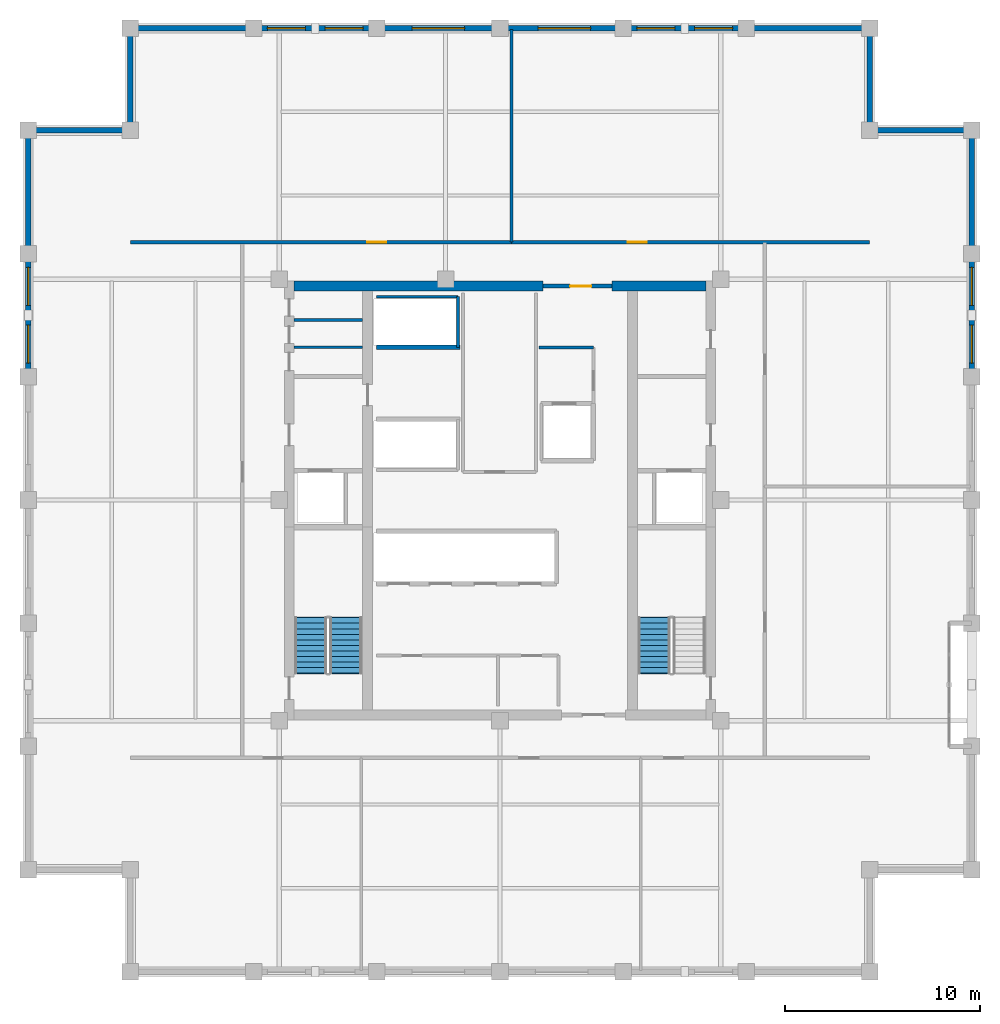
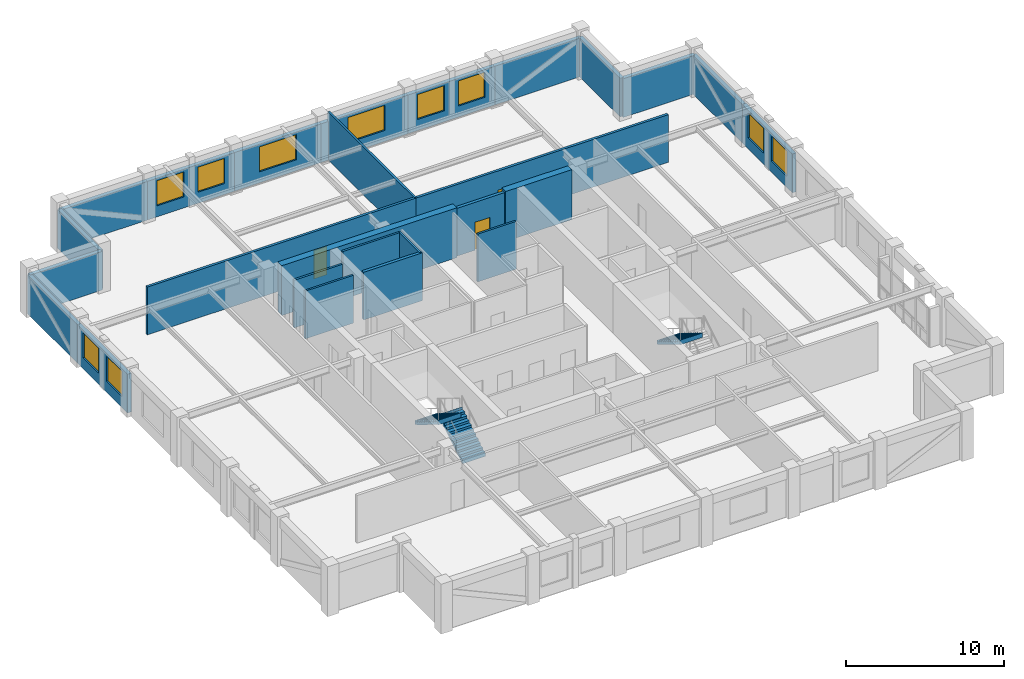
# One storey, part 6 of 8: 26 walls, 10 windows, 3 doors, 3 stair flights, 13 openings, 2 elements without a shape of their own.
"""IFC4 building model written with IfcOpenShell, lengths in metres."""

from ifc_helpers import new_model, si_unit, direction, frame, frame_2d, origin, place, context, subcontext, project, spatial, polyline, rectangle, outline, extrude, material, layer, layer_set, type_object, element, fill, aggregate, save


model = new_model("IFC4")

# Units and contexts
model_context = context("Model", 3, precision=1e-05, world=origin(), true_north=direction((0.0, 1.0)))
body_context = subcontext(model_context, "Body", "Model", "MODEL_VIEW")
ifc_project = project(units=[si_unit("LENGTHUNIT", "METRE"), si_unit("AREAUNIT", "SQUARE_METRE"), si_unit("VOLUMEUNIT", "CUBIC_METRE"), si_unit("PLANEANGLEUNIT", "RADIAN"), si_unit("MASSUNIT", "GRAM", prefix="KILO")], contexts=[model_context])

# Site, building, storey
site_placement = place(None, origin())
site = spatial("IfcSite", under=ifc_project, at=site_placement, CompositionType="ELEMENT")
building_placement = place(site_placement, origin())
building = spatial("IfcBuilding", under=site, at=building_placement, Name="Nhamokura Convention Tower", CompositionType="ELEMENT")
storey_placement = place(building_placement, frame((0.0, 0.0, 240.800048828125)))
storey = spatial("IfcBuildingStorey", under=building, at=storey_placement, Name="L59", CompositionType="ELEMENT", Elevation=240.800048828125)

# Walls
ifc_material_1 = material(Name="Moisture-resistant tile-backer partition", Category="masonry")
ifc_layer_1 = layer(ifc_material_1, 0.139892578125)
ifc_layer_set_1 = layer_set([ifc_layer_1], Name="BathroomWetWall_140")
wall_type_1 = type_object("IfcWallType", Name="BathroomWetWall_140", PredefinedType="STANDARD", material=ifc_layer_set_1)
wall_1_placement = place(storey_placement, frame((21.409912109375, 39.85009765625, 0.0), z_axis=(0.0, 0.0, 1.0), x_axis=(1.0, 0.0, 0.0)))
element("IfcWall", 1, at=wall_1_placement, inside=storey, type_object=wall_type_1, Name="L59 Wall INT-L59-CWNW1", PredefinedType="STANDARD", context=body_context, shape_type="SweptSolid", body=[
    extrude(rectangle(XDim=3.530029296875, YDim=0.139892578125, at=frame_2d((1.76513671875, 0.0))), origin(), (0.0, 0.0, 1.0), 3.68505859375),
])
ifc_material_2 = material(Name="Bronze-pigmented precast concrete C45/55", Category="concrete")
ifc_layer_2 = layer(ifc_material_2, 0.280029296875)
ifc_layer_set_2 = layer_set([ifc_layer_2], Name="BronzePrecastSpandrel_280")
wall_type_2 = type_object("IfcWallType", Name="BronzePrecastSpandrel_280", PredefinedType="USERDEFINED", material=ifc_layer_set_2)
wall_2_placement = place(storey_placement, frame((13.0, 56.25, 0.0), z_axis=(0.0, 0.0, 1.0), x_axis=(1.0, 0.0, 0.0)))
element("IfcWall", 2, at=wall_2_placement, inside=storey, type_object=wall_type_2, Name="L59 Braced-Bay Precast Wall NORTH 0", ObjectType="SPANDREL_WALL", PredefinedType="USERDEFINED", context=body_context, shape_type="SweptSolid", body=[
    extrude(rectangle(XDim=6.333251953125, YDim=0.280029296875, at=frame_2d((3.16650390625, 0.0))), origin(), (0.0, 0.0, 1.0), 2.98486328125),
])

# Wall, openings, windows
wall_3_placement = place(storey_placement, frame((19.333251953125, 56.25, 0.0), z_axis=(0.0, 0.0, 1.0), x_axis=(1.0, 0.0, 0.0)))
wall_3 = element("IfcWall", 3, at=wall_3_placement, inside=storey, type_object=wall_type_2, Name="L59 Masonry-Frame Wall NORTH 1", ObjectType="SPANDREL_WALL", PredefinedType="USERDEFINED", context=body_context, shape_type="SweptSolid", body=[
    extrude(rectangle(XDim=6.33349609375, YDim=0.280029296875, at=frame_2d((3.166748046875, 0.0))), origin(), (0.0, 0.0, 1.0), 2.98486328125),
])
opening_1_placement = place(wall_3_placement, frame((0.708251953125, 0.0, 0.85009765625)))
opening_1 = element("IfcOpeningElement", 4, at=opening_1_placement, cuts=wall_3, Name="Opening W-08", PredefinedType="OPENING", context=body_context, shape_type="SweptSolid", body=[
    extrude(rectangle(XDim=1.949951171875, YDim=1.93505859375, at=frame_2d((0.97509765625, 0.967529296875))), frame((0.0, 0.14990234375, 0.0), z_axis=(0.0, -1.0, 0.0), x_axis=(1.0, 0.0, 0.0)), (0.0, 0.0, 1.0), 0.300048828125),
])
opening_2_placement = place(wall_3_placement, frame((3.675048828125, 0.0, 0.85009765625)))
opening_2 = element("IfcOpeningElement", 5, at=opening_2_placement, cuts=wall_3, Name="Opening W-08", PredefinedType="OPENING", context=body_context, shape_type="SweptSolid", body=[
    extrude(rectangle(XDim=1.949951171875, YDim=1.93505859375, at=frame_2d((0.97509765625, 0.967529296875))), frame((0.0, 0.14990234375, 0.0), z_axis=(0.0, -1.0, 0.0), x_axis=(1.0, 0.0, 0.0)), (0.0, 0.0, 1.0), 0.300048828125),
])
ifc_material_3 = material(Name="Solar-control bronze low-E double glass", Category="glass")
window_type_1 = type_object("IfcWindowType", Name="OfficeModuleWindow_Z3_1950", PartitioningType="SINGLE_PANEL", PredefinedType="WINDOW", material=ifc_material_3)
window_1_placement = place(opening_1_placement, origin())
window_1 = element("IfcWindow", 6, at=window_1_placement, inside=storey, type_object=window_type_1, Name="L59 Facade Window NORTH 1-1", OverallHeight=1.93505859375, OverallWidth=1.949951171875, PartitioningType="SINGLE_PANEL", PredefinedType="WINDOW", context=body_context, shape_type="SweptSolid", body=[
    extrude(rectangle(XDim=1.949951171875, YDim=1.93505859375, at=frame_2d((0.97509765625, 0.967529296875))), frame((0.0, 0.030029296875, 0.0), z_axis=(0.0, -1.0, 0.0), x_axis=(1.0, 0.0, 0.0)), (0.0, 0.0, 1.0), 0.06005859375),
])
fill(opening_1, window_1)
window_2_placement = place(opening_2_placement, origin())
window_2 = element("IfcWindow", 7, at=window_2_placement, inside=storey, type_object=window_type_1, Name="L59 Facade Window NORTH 1-2", OverallHeight=1.93505859375, OverallWidth=1.949951171875, PartitioningType="SINGLE_PANEL", PredefinedType="WINDOW", context=body_context, shape_type="SweptSolid", body=[
    extrude(rectangle(XDim=1.949951171875, YDim=1.93505859375, at=frame_2d((0.97509765625, 0.967529296875))), frame((0.0, 0.030029296875, 0.0), z_axis=(0.0, -1.0, 0.0), x_axis=(1.0, 0.0, 0.0)), (0.0, 0.0, 1.0), 0.06005859375),
])
fill(opening_2, window_2)

# Wall, opening, window
wall_4_placement = place(storey_placement, frame((25.666748046875, 56.25, 0.0), z_axis=(0.0, 0.0, 1.0), x_axis=(1.0, 0.0, 0.0)))
wall_4 = element("IfcWall", 8, at=wall_4_placement, inside=storey, type_object=wall_type_2, Name="L59 Masonry-Frame Wall NORTH 2", ObjectType="SPANDREL_WALL", PredefinedType="USERDEFINED", context=body_context, shape_type="SweptSolid", body=[
    extrude(rectangle(XDim=6.333251953125, YDim=0.280029296875, at=frame_2d((3.16650390625, 0.0))), origin(), (0.0, 0.0, 1.0), 2.98486328125),
])
opening_3_placement = place(wall_4_placement, frame((1.816650390625, 0.0, 0.85009765625)))
opening_3 = element("IfcOpeningElement", 9, at=opening_3_placement, cuts=wall_4, Name="Opening W-07", PredefinedType="OPENING", context=body_context, shape_type="SweptSolid", body=[
    extrude(rectangle(XDim=2.699951171875, YDim=1.93505859375, at=frame_2d((1.35009765625, 0.967529296875))), frame((0.0, 0.14990234375, 0.0), z_axis=(0.0, -1.0, 0.0), x_axis=(1.0, 0.0, 0.0)), (0.0, 0.0, 1.0), 0.300048828125),
])
ifc_material_4 = material(Name="Solar-control bronze low-E double glass", Category="glass")
window_type_2 = type_object("IfcWindowType", Name="OfficeModuleWindow_Z3_2700", PartitioningType="DOUBLE_PANEL_VERTICAL", PredefinedType="WINDOW", material=ifc_material_4)
window_3_placement = place(opening_3_placement, origin())
window_3 = element("IfcWindow", 10, at=window_3_placement, inside=storey, type_object=window_type_2, Name="L59 Facade Window NORTH 2", OverallHeight=1.93505859375, OverallWidth=2.699951171875, PartitioningType="SINGLE_PANEL", PredefinedType="WINDOW", context=body_context, shape_type="SweptSolid", body=[
    extrude(rectangle(XDim=2.699951171875, YDim=1.93505859375, at=frame_2d((1.35009765625, 0.967529296875))), frame((0.0, 0.030029296875, 0.0), z_axis=(0.0, -1.0, 0.0), x_axis=(1.0, 0.0, 0.0)), (0.0, 0.0, 1.0), 0.06005859375),
])
fill(opening_3, window_3)

wall_5_placement = place(storey_placement, frame((32.0, 56.25, 0.0), z_axis=(0.0, 0.0, 1.0), x_axis=(1.0, 0.0, 0.0)))
wall_5 = element("IfcWall", 11, at=wall_5_placement, inside=storey, type_object=wall_type_2, Name="L59 Masonry-Frame Wall NORTH 3", ObjectType="SPANDREL_WALL", PredefinedType="USERDEFINED", context=body_context, shape_type="SweptSolid", body=[
    extrude(rectangle(XDim=6.333251953125, YDim=0.280029296875, at=frame_2d((3.16650390625, 0.0))), origin(), (0.0, 0.0, 1.0), 2.98486328125),
])
opening_4_placement = place(wall_5_placement, frame((1.9541015625, 0.0, 0.85009765625)))
opening_4 = element("IfcOpeningElement", 12, at=opening_4_placement, cuts=wall_5, Name="Opening W-07", PredefinedType="OPENING", context=body_context, shape_type="SweptSolid", body=[
    extrude(rectangle(XDim=2.699951171875, YDim=1.93505859375, at=frame_2d((1.35009765625, 0.967529296875))), frame((0.0, 0.14990234375, 0.0), z_axis=(0.0, -1.0, 0.0), x_axis=(1.0, 0.0, 0.0)), (0.0, 0.0, 1.0), 0.300048828125),
])
window_4_placement = place(opening_4_placement, origin())
window_4 = element("IfcWindow", 13, at=window_4_placement, inside=storey, type_object=window_type_2, Name="L59 Facade Window NORTH 3", OverallHeight=1.93505859375, OverallWidth=2.699951171875, PartitioningType="SINGLE_PANEL", PredefinedType="WINDOW", context=body_context, shape_type="SweptSolid", body=[
    extrude(rectangle(XDim=2.699951171875, YDim=1.93505859375, at=frame_2d((1.35009765625, 0.967529296875))), frame((0.0, 0.030029296875, 0.0), z_axis=(0.0, -1.0, 0.0), x_axis=(1.0, 0.0, 0.0)), (0.0, 0.0, 1.0), 0.06005859375),
])
fill(opening_4, window_4)

# Wall, openings, windows
wall_6_placement = place(storey_placement, frame((38.333251953125, 56.25, 0.0), z_axis=(0.0, 0.0, 1.0), x_axis=(1.0, 0.0, 0.0)))
wall_6 = element("IfcWall", 14, at=wall_6_placement, inside=storey, type_object=wall_type_2, Name="L59 Masonry-Frame Wall NORTH 4", ObjectType="SPANDREL_WALL", PredefinedType="USERDEFINED", context=body_context, shape_type="SweptSolid", body=[
    extrude(rectangle(XDim=6.33349609375, YDim=0.280029296875, at=frame_2d((3.166748046875, 0.0))), origin(), (0.0, 0.0, 1.0), 2.98486328125),
])
opening_5_placement = place(wall_6_placement, frame((0.708251953125, 0.0, 0.85009765625)))
opening_5 = element("IfcOpeningElement", 15, at=opening_5_placement, cuts=wall_6, Name="Opening W-08", PredefinedType="OPENING", context=body_context, shape_type="SweptSolid", body=[
    extrude(rectangle(XDim=1.949951171875, YDim=1.93505859375, at=frame_2d((0.97509765625, 0.967529296875))), frame((0.0, 0.14990234375, 0.0), z_axis=(0.0, -1.0, 0.0), x_axis=(1.0, 0.0, 0.0)), (0.0, 0.0, 1.0), 0.300048828125),
])
opening_6_placement = place(wall_6_placement, frame((3.675048828125, 0.0, 0.85009765625)))
opening_6 = element("IfcOpeningElement", 16, at=opening_6_placement, cuts=wall_6, Name="Opening W-08", PredefinedType="OPENING", context=body_context, shape_type="SweptSolid", body=[
    extrude(rectangle(XDim=1.949951171875, YDim=1.93505859375, at=frame_2d((0.97509765625, 0.967529296875))), frame((0.0, 0.14990234375, 0.0), z_axis=(0.0, -1.0, 0.0), x_axis=(1.0, 0.0, 0.0)), (0.0, 0.0, 1.0), 0.300048828125),
])
window_5_placement = place(opening_5_placement, origin())
window_5 = element("IfcWindow", 17, at=window_5_placement, inside=storey, type_object=window_type_1, Name="L59 Facade Window NORTH 4-1", OverallHeight=1.93505859375, OverallWidth=1.949951171875, PartitioningType="SINGLE_PANEL", PredefinedType="WINDOW", context=body_context, shape_type="SweptSolid", body=[
    extrude(rectangle(XDim=1.949951171875, YDim=1.93505859375, at=frame_2d((0.97509765625, 0.967529296875))), frame((0.0, 0.030029296875, 0.0), z_axis=(0.0, -1.0, 0.0), x_axis=(1.0, 0.0, 0.0)), (0.0, 0.0, 1.0), 0.06005859375),
])
fill(opening_5, window_5)
window_6_placement = place(opening_6_placement, origin())
window_6 = element("IfcWindow", 18, at=window_6_placement, inside=storey, type_object=window_type_1, Name="L59 Facade Window NORTH 4-2", OverallHeight=1.93505859375, OverallWidth=1.949951171875, PartitioningType="SINGLE_PANEL", PredefinedType="WINDOW", context=body_context, shape_type="SweptSolid", body=[
    extrude(rectangle(XDim=1.949951171875, YDim=1.93505859375, at=frame_2d((0.97509765625, 0.967529296875))), frame((0.0, 0.030029296875, 0.0), z_axis=(0.0, -1.0, 0.0), x_axis=(1.0, 0.0, 0.0)), (0.0, 0.0, 1.0), 0.06005859375),
])
fill(opening_6, window_6)

# Wall
wall_7_placement = place(storey_placement, frame((44.666748046875, 56.25, 0.0), z_axis=(0.0, 0.0, 1.0), x_axis=(1.0, 0.0, 0.0)))
element("IfcWall", 19, at=wall_7_placement, inside=storey, type_object=wall_type_2, Name="L59 Braced-Bay Precast Wall NORTH 5", ObjectType="SPANDREL_WALL", PredefinedType="USERDEFINED", context=body_context, shape_type="SweptSolid", body=[
    extrude(rectangle(XDim=6.333251953125, YDim=0.280029296875, at=frame_2d((3.16650390625, 0.0))), origin(), (0.0, 0.0, 1.0), 2.98486328125),
])

# Wall, openings, windows
wall_8_placement = place(storey_placement, frame((7.75, 38.333251953125, 0.0), z_axis=(0.0, 0.0, 1.0), x_axis=(0.0, 1.0, 0.0)))
wall_8 = element("IfcWall", 20, at=wall_8_placement, inside=storey, type_object=wall_type_2, Name="L59 Masonry-Frame Wall WEST 4", ObjectType="SPANDREL_WALL", PredefinedType="USERDEFINED", context=body_context, shape_type="SweptSolid", body=[
    extrude(rectangle(XDim=6.33349609375, YDim=0.280029296875, at=frame_2d((3.166748046875, 0.0))), origin(), (0.0, 0.0, 1.0), 2.98486328125),
])
opening_7_placement = place(wall_8_placement, frame((0.708251953125, 0.0, 0.85009765625)))
opening_7 = element("IfcOpeningElement", 21, at=opening_7_placement, cuts=wall_8, Name="Opening W-08", PredefinedType="OPENING", context=body_context, shape_type="SweptSolid", body=[
    extrude(rectangle(XDim=1.949951171875, YDim=1.93505859375, at=frame_2d((0.97509765625, 0.967529296875))), frame((0.0, 0.14990234375, 0.0), z_axis=(0.0, -1.0, 0.0), x_axis=(1.0, 0.0, 0.0)), (0.0, 0.0, 1.0), 0.300048828125),
])
opening_8_placement = place(wall_8_placement, frame((3.675048828125, 0.0, 0.85009765625)))
opening_8 = element("IfcOpeningElement", 22, at=opening_8_placement, cuts=wall_8, Name="Opening W-08", PredefinedType="OPENING", context=body_context, shape_type="SweptSolid", body=[
    extrude(rectangle(XDim=1.949951171875, YDim=1.93505859375, at=frame_2d((0.97509765625, 0.967529296875))), frame((0.0, 0.14990234375, 0.0), z_axis=(0.0, -1.0, 0.0), x_axis=(1.0, 0.0, 0.0)), (0.0, 0.0, 1.0), 0.300048828125),
])
window_7_placement = place(opening_7_placement, origin())
window_7 = element("IfcWindow", 23, at=window_7_placement, inside=storey, type_object=window_type_1, Name="L59 Facade Window WEST 4-1", OverallHeight=1.93505859375, OverallWidth=1.949951171875, PartitioningType="SINGLE_PANEL", PredefinedType="WINDOW", context=body_context, shape_type="SweptSolid", body=[
    extrude(rectangle(XDim=1.949951171875, YDim=1.93505859375, at=frame_2d((0.97509765625, 0.967529296875))), frame((0.0, 0.030029296875, 0.0), z_axis=(0.0, -1.0, 0.0), x_axis=(1.0, 0.0, 0.0)), (0.0, 0.0, 1.0), 0.06005859375),
])
fill(opening_7, window_7)
window_8_placement = place(opening_8_placement, origin())
window_8 = element("IfcWindow", 24, at=window_8_placement, inside=storey, type_object=window_type_1, Name="L59 Facade Window WEST 4-2", OverallHeight=1.93505859375, OverallWidth=1.949951171875, PartitioningType="SINGLE_PANEL", PredefinedType="WINDOW", context=body_context, shape_type="SweptSolid", body=[
    extrude(rectangle(XDim=1.949951171875, YDim=1.93505859375, at=frame_2d((0.97509765625, 0.967529296875))), frame((0.0, 0.030029296875, 0.0), z_axis=(0.0, -1.0, 0.0), x_axis=(1.0, 0.0, 0.0)), (0.0, 0.0, 1.0), 0.06005859375),
])
fill(opening_8, window_8)

# Wall
wall_9_placement = place(storey_placement, frame((7.75, 44.666748046875, 0.0), z_axis=(0.0, 0.0, 1.0), x_axis=(0.0, 1.0, 0.0)))
element("IfcWall", 25, at=wall_9_placement, inside=storey, type_object=wall_type_2, Name="L59 Braced-Bay Precast Wall WEST 5", ObjectType="SPANDREL_WALL", PredefinedType="USERDEFINED", context=body_context, shape_type="SweptSolid", body=[
    extrude(rectangle(XDim=6.333251953125, YDim=0.280029296875, at=frame_2d((3.16650390625, 0.0))), origin(), (0.0, 0.0, 1.0), 2.98486328125),
])

# Wall, openings, windows
wall_10_placement = place(storey_placement, frame((56.25, 44.666748046875, 0.0), z_axis=(0.0, 0.0, 1.0), x_axis=(0.0, -1.0, 0.0)))
wall_10 = element("IfcWall", 26, at=wall_10_placement, inside=storey, type_object=wall_type_2, Name="L59 Masonry-Frame Wall EAST 4", ObjectType="SPANDREL_WALL", PredefinedType="USERDEFINED", context=body_context, shape_type="SweptSolid", body=[
    extrude(rectangle(XDim=6.33349609375, YDim=0.280029296875, at=frame_2d((3.166748046875, 0.0))), origin(), (0.0, 0.0, 1.0), 2.98486328125),
])
opening_9_placement = place(wall_10_placement, frame((0.708251953125, 0.0, 0.85009765625)))
opening_9 = element("IfcOpeningElement", 27, at=opening_9_placement, cuts=wall_10, Name="Opening W-08", PredefinedType="OPENING", context=body_context, shape_type="SweptSolid", body=[
    extrude(rectangle(XDim=1.949951171875, YDim=1.93505859375, at=frame_2d((0.97509765625, 0.967529296875))), frame((0.0, 0.14990234375, 0.0), z_axis=(0.0, -1.0, 0.0), x_axis=(1.0, 0.0, 0.0)), (0.0, 0.0, 1.0), 0.300048828125),
])
opening_10_placement = place(wall_10_placement, frame((3.675048828125, 0.0, 0.85009765625)))
opening_10 = element("IfcOpeningElement", 28, at=opening_10_placement, cuts=wall_10, Name="Opening W-08", PredefinedType="OPENING", context=body_context, shape_type="SweptSolid", body=[
    extrude(rectangle(XDim=1.949951171875, YDim=1.93505859375, at=frame_2d((0.97509765625, 0.967529296875))), frame((0.0, 0.14990234375, 0.0), z_axis=(0.0, -1.0, 0.0), x_axis=(1.0, 0.0, 0.0)), (0.0, 0.0, 1.0), 0.300048828125),
])
window_9_placement = place(opening_9_placement, origin())
window_9 = element("IfcWindow", 29, at=window_9_placement, inside=storey, type_object=window_type_1, Name="L59 Facade Window EAST 4-1", OverallHeight=1.93505859375, OverallWidth=1.949951171875, PartitioningType="SINGLE_PANEL", PredefinedType="WINDOW", context=body_context, shape_type="SweptSolid", body=[
    extrude(rectangle(XDim=1.949951171875, YDim=1.93505859375, at=frame_2d((0.97509765625, 0.967529296875))), frame((0.0, 0.030029296875, 0.0), z_axis=(0.0, -1.0, 0.0), x_axis=(1.0, 0.0, 0.0)), (0.0, 0.0, 1.0), 0.06005859375),
])
fill(opening_9, window_9)
window_10_placement = place(opening_10_placement, origin())
window_10 = element("IfcWindow", 30, at=window_10_placement, inside=storey, type_object=window_type_1, Name="L59 Facade Window EAST 4-2", OverallHeight=1.93505859375, OverallWidth=1.949951171875, PartitioningType="SINGLE_PANEL", PredefinedType="WINDOW", context=body_context, shape_type="SweptSolid", body=[
    extrude(rectangle(XDim=1.949951171875, YDim=1.93505859375, at=frame_2d((0.97509765625, 0.967529296875))), frame((0.0, 0.030029296875, 0.0), z_axis=(0.0, -1.0, 0.0), x_axis=(1.0, 0.0, 0.0)), (0.0, 0.0, 1.0), 0.06005859375),
])
fill(opening_10, window_10)

# Walls
wall_11_placement = place(storey_placement, frame((56.25, 51.0, 0.0), z_axis=(0.0, 0.0, 1.0), x_axis=(0.0, -1.0, 0.0)))
element("IfcWall", 31, at=wall_11_placement, inside=storey, type_object=wall_type_2, Name="L59 Braced-Bay Precast Wall EAST 5", ObjectType="SPANDREL_WALL", PredefinedType="USERDEFINED", context=body_context, shape_type="SweptSolid", body=[
    extrude(rectangle(XDim=6.333251953125, YDim=0.280029296875, at=frame_2d((3.16650390625, 0.0))), origin(), (0.0, 0.0, 1.0), 2.98486328125),
])
for number, where, z_axis, x_axis, name in (
    (32, (51.0, 51.0, 0.0), (0.0, 0.0, 1.0), (1.0, 0.0, 0.0), "L59 Notched Corner Wall NE1"),
    (33, (51.0, 56.25, 0.0), (0.0, 0.0, 1.0), (0.0, -1.0, 0.0), "L59 Notched Corner Wall NE2"),
    (34, (13.0, 51.0, 0.0), (0.0, 0.0, 1.0), (0.0, 1.0, 0.0), "L59 Notched Corner Wall NW1"),
    (35, (7.75, 51.0, 0.0), (0.0, 0.0, 1.0), (1.0, 0.0, 0.0), "L59 Notched Corner Wall NW2"),
):
    element("IfcWall", number, at=place(storey_placement, frame(where, z_axis=z_axis, x_axis=x_axis)), inside=storey, type_object=wall_type_2, Name=name, ObjectType="SPANDREL_WALL", PredefinedType="USERDEFINED", context=body_context, shape_type="SweptSolid", body=[
        extrude(rectangle(XDim=5.25, YDim=0.280029296875, at=frame_2d((2.625, 0.0))), origin(), (0.0, 0.0, 1.0), 2.98486328125),
    ])
ifc_material_5 = material(Name="Concrete C60/75", Category="concrete")
ifc_layer_3 = layer(ifc_material_5, 0.5)
ifc_layer_set_3 = layer_set([ifc_layer_3], Name="CoreShearWall_500")
wall_type_3 = type_object("IfcWallType", Name="CoreShearWall_500", PredefinedType="SHEAR", material=ifc_layer_set_3)
wall_12_placement = place(storey_placement, frame((21.409912109375, 43.0, 0.0), z_axis=(0.0, 0.0, 1.0), x_axis=(1.0, 0.0, 0.0)))
element("IfcWall", 36, at=wall_12_placement, inside=storey, type_object=wall_type_3, Name="L59 Core Shear Wall CW-N1", PredefinedType="SHEAR", context=body_context, shape_type="SweptSolid", body=[
    extrude(rectangle(XDim=12.7900390625, YDim=0.5, at=frame_2d((6.39501953125, 0.0))), origin(), (0.0, 0.0, 1.0), 3.849853515625),
])
wall_13_placement = place(storey_placement, frame((37.75, 43.0, 0.0), z_axis=(0.0, 0.0, 1.0), x_axis=(1.0, 0.0, 0.0)))
element("IfcWall", 37, at=wall_13_placement, inside=storey, type_object=wall_type_3, Name="L59 Core Shear Wall CW-N2", PredefinedType="SHEAR", context=body_context, shape_type="SweptSolid", body=[
    extrude(rectangle(XDim=4.840087890625, YDim=0.5, at=frame_2d((2.419921875, 0.0))), origin(), (0.0, 0.0, 1.0), 3.849853515625),
])

# Wall, opening, door
ifc_material_6 = material(Name="Fire-rated gypsum and masonry partition", Category="masonry")
ifc_layer_4 = layer(ifc_material_6, 0.179931640625)
ifc_layer_set_4 = layer_set([ifc_layer_4], Name="CorridorRatedWall_180")
wall_type_4 = type_object("IfcWallType", Name="CorridorRatedWall_180", PredefinedType="STANDARD", material=ifc_layer_set_4)
wall_14_placement = place(storey_placement, frame((13.0, 45.25, 0.0), z_axis=(0.0, 0.0, 1.0), x_axis=(1.0, 0.0, 0.0)))
wall_14 = element("IfcWall", 38, at=wall_14_placement, inside=storey, type_object=wall_type_4, Name="L59 Wall INT-L59-CW-N00", PredefinedType="STANDARD", context=body_context, shape_type="SweptSolid", body=[
    extrude(rectangle(XDim=19.60009765625, YDim=0.179931640625, at=frame_2d((9.800048828125, 0.0))), origin(), (0.0, 0.0, 1.0), 3.68505859375),
])
opening_11_placement = place(wall_14_placement, frame((12.175048828125, 0.0, 0.0)))
opening_11 = element("IfcOpeningElement", 39, at=opening_11_placement, cuts=wall_14, Name="Opening D-08", PredefinedType="OPENING", context=body_context, shape_type="SweptSolid", body=[
    extrude(rectangle(XDim=0.97998046875, YDim=2.199951171875, at=frame_2d((0.489990234375, 1.10009765625))), frame((0.0, 0.099853515625, 0.0), z_axis=(0.0, -1.0, 0.0), x_axis=(1.0, 0.0, 0.0)), (0.0, 0.0, 1.0), 0.199951171875),
])
ifc_material_7 = material(Name="Solid oak hardwood", Category="wood")
door_type_1 = type_object("IfcDoorType", Name="OfficeEntryDoor_980", OperationType="NOTDEFINED", PredefinedType="DOOR", material=ifc_material_7)
door_1_placement = place(opening_11_placement, origin())
door_1 = element("IfcDoor", 40, at=door_1_placement, inside=storey, type_object=door_type_1, Name="L59 Training Classroom N01 Door", OperationType="SINGLE_SWING_LEFT", OverallHeight=2.199951171875, OverallWidth=0.97998046875, PredefinedType="DOOR", context=body_context, shape_type="SweptSolid", body=[
    extrude(rectangle(XDim=0.97998046875, YDim=2.199951171875, at=frame_2d((0.489990234375, 1.10009765625))), frame((0.0, 0.02490234375, 0.0), z_axis=(0.0, -1.0, 0.0), x_axis=(1.0, 0.0, 0.0)), (0.0, 0.0, 1.0), 0.050048828125),
])
fill(opening_11, door_1)

wall_15_placement = place(storey_placement, frame((32.60009765625, 45.25, 0.0), z_axis=(0.0, 0.0, 1.0), x_axis=(1.0, 0.0, 0.0)))
wall_15 = element("IfcWall", 41, at=wall_15_placement, inside=storey, type_object=wall_type_4, Name="L59 Wall INT-L59-CW-N01", PredefinedType="STANDARD", context=body_context, shape_type="SweptSolid", body=[
    extrude(rectangle(XDim=18.39990234375, YDim=0.179931640625, at=frame_2d((9.199951171875, 0.0))), origin(), (0.0, 0.0, 1.0), 3.68505859375),
])
opening_12_placement = place(wall_15_placement, frame((5.97509765625, 0.0, 0.0)))
opening_12 = element("IfcOpeningElement", 42, at=opening_12_placement, cuts=wall_15, Name="Opening D-08", PredefinedType="OPENING", context=body_context, shape_type="SweptSolid", body=[
    extrude(rectangle(XDim=0.97998046875, YDim=2.199951171875, at=frame_2d((0.489990234375, 1.10009765625))), frame((0.0, 0.099853515625, 0.0), z_axis=(0.0, -1.0, 0.0), x_axis=(1.0, 0.0, 0.0)), (0.0, 0.0, 1.0), 0.199951171875),
])
door_2_placement = place(opening_12_placement, origin())
door_2 = element("IfcDoor", 43, at=door_2_placement, inside=storey, type_object=door_type_1, Name="L59 Private Office N02 Door", OperationType="SINGLE_SWING_RIGHT", OverallHeight=2.199951171875, OverallWidth=0.97998046875, PredefinedType="DOOR", context=body_context, shape_type="SweptSolid", body=[
    extrude(rectangle(XDim=0.97998046875, YDim=2.199951171875, at=frame_2d((0.489990234375, 1.10009765625))), frame((0.0, 0.02490234375, 0.0), z_axis=(0.0, -1.0, 0.0), x_axis=(1.0, 0.0, 0.0)), (0.0, 0.0, 1.0), 0.050048828125),
])
fill(opening_12, door_2)

# Wall
ifc_material_8 = material(Name="Autoclaved concrete blockwork", Category="masonry")
ifc_layer_5 = layer(ifc_material_8, 0.219970703125)
ifc_layer_set_5 = layer_set([ifc_layer_5], Name="FireLobbyWall_220")
wall_type_5 = type_object("IfcWallType", Name="FireLobbyWall_220", PredefinedType="STANDARD", material=ifc_layer_set_5)
wall_16_placement = place(storey_placement, frame((25.64990234375, 39.85009765625, 0.0), z_axis=(0.0, 0.0, 1.0), x_axis=(1.0, 0.0, 0.0)))
element("IfcWall", 44, at=wall_16_placement, inside=storey, type_object=wall_type_5, Name="L59 Wall INT-L59-B3N", PredefinedType="STANDARD", context=body_context, shape_type="SweptSolid", body=[
    extrude(rectangle(XDim=4.300048828125, YDim=0.219970703125, at=frame_2d((2.14990234375, 0.0))), origin(), (0.0, 0.0, 1.0), 3.68505859375),
])

# Wall, opening, door
wall_17_placement = place(storey_placement, frame((34.199951171875, 43.0, 0.0), z_axis=(0.0, 0.0, 1.0), x_axis=(1.0, 0.0, 0.0)))
wall_17 = element("IfcWall", 45, at=wall_17_placement, inside=storey, type_object=wall_type_5, Name="L59 Wall INT-L59-CPORT-N", PredefinedType="STANDARD", context=body_context, shape_type="SweptSolid", body=[
    extrude(rectangle(XDim=3.550048828125, YDim=0.219970703125, at=frame_2d((1.77490234375, 0.0))), origin(), (0.0, 0.0, 1.0), 3.68505859375),
])
opening_13_placement = place(wall_17_placement, frame((1.39990234375, 0.0, 0.0)))
opening_13 = element("IfcOpeningElement", 46, at=opening_13_placement, cuts=wall_17, Name="Opening D-05", PredefinedType="OPENING", context=body_context, shape_type="SweptSolid", body=[
    extrude(rectangle(XDim=1.10009765625, YDim=2.14990234375, at=frame_2d((0.550048828125, 1.074951171875))), frame((0.0, 0.119873046875, 0.0), z_axis=(0.0, -1.0, 0.0), x_axis=(1.0, 0.0, 0.0)), (0.0, 0.0, 1.0), 0.239990234375),
])
ifc_material_9 = material(Name="Fire-rated steel door", Category="steel")
door_type_2 = type_object("IfcDoorType", Name="FireLobbyDoor_1100", OperationType="NOTDEFINED", PredefinedType="DOOR", material=ifc_material_9)
door_3_placement = place(opening_13_placement, origin())
door_3 = element("IfcDoor", 47, at=door_3_placement, inside=storey, type_object=door_type_2, Name="L59 North Core Lobby Portal Door", OperationType="SINGLE_SWING_RIGHT", OverallHeight=2.14990234375, OverallWidth=1.10009765625, PredefinedType="DOOR", context=body_context, shape_type="SweptSolid", body=[
    extrude(rectangle(XDim=1.10009765625, YDim=2.14990234375, at=frame_2d((0.550048828125, 1.074951171875))), frame((0.0, 0.02490234375, 0.0), z_axis=(0.0, -1.0, 0.0), x_axis=(1.0, 0.0, 0.0)), (0.0, 0.0, 1.0), 0.050048828125),
])
fill(opening_13, door_3)

# Walls
ifc_material_10 = material(Name="Acoustic gypsum stud partition", Category="masonry")
ifc_layer_6 = layer(ifc_material_10, 0.14990234375)
ifc_layer_set_6 = layer_set([ifc_layer_6], Name="InteriorPartition_150")
wall_type_6 = type_object("IfcWallType", Name="InteriorPartition_150", PredefinedType="STANDARD", material=ifc_layer_set_6)
wall_18_placement = place(storey_placement, frame((21.409912109375, 41.25, 0.0), z_axis=(0.0, 0.0, 1.0), x_axis=(1.0, 0.0, 0.0)))
element("IfcWall", 48, at=wall_18_placement, inside=storey, type_object=wall_type_6, Name="L59 Wall INT-L59-CWNW2", PredefinedType="STANDARD", context=body_context, shape_type="SweptSolid", body=[
    extrude(rectangle(XDim=3.530029296875, YDim=0.14990234375, at=frame_2d((1.76513671875, 0.0))), origin(), (0.0, 0.0, 1.0), 3.68505859375),
])
wall_19_placement = place(storey_placement, frame((34.0, 39.85009765625, 0.0), z_axis=(0.0, 0.0, 1.0), x_axis=(1.0, 0.0, 0.0)))
element("IfcWall", 49, at=wall_19_placement, inside=storey, type_object=wall_type_6, Name="L59 Wall INT-L59-NE-TELN", PredefinedType="STANDARD", context=body_context, shape_type="SweptSolid", body=[
    extrude(rectangle(XDim=2.800048828125, YDim=0.14990234375, at=frame_2d((1.39990234375, 0.0))), origin(), (0.0, 0.0, 1.0), 3.68505859375),
])
wall_20_placement = place(storey_placement, frame((25.64990234375, 42.449951171875, 0.0), z_axis=(0.0, 0.0, 1.0), x_axis=(1.0, 0.0, 0.0)))
element("IfcWall", 50, at=wall_20_placement, inside=storey, type_object=wall_type_6, Name="L59 Wall INT-L59-B3B-N", PredefinedType="STANDARD", context=body_context, shape_type="SweptSolid", body=[
    extrude(rectangle(XDim=4.2001953125, YDim=0.14990234375, at=frame_2d((2.10009765625, 0.0))), origin(), (0.0, 0.0, 1.0), 3.68505859375),
])
wall_21_placement = place(storey_placement, frame((29.85009765625, 39.85009765625, 0.0), z_axis=(0.0, 0.0, 1.0), x_axis=(0.0, 1.0, 0.0)))
element("IfcWall", 51, at=wall_21_placement, inside=storey, type_object=wall_type_6, Name="L59 Wall INT-L59-B3B-E", PredefinedType="STANDARD", context=body_context, shape_type="SweptSolid", body=[
    extrude(rectangle(XDim=2.599853515625, YDim=0.14990234375, at=frame_2d((1.2998046875, 0.0))), origin(), (0.0, 0.0, 1.0), 3.68505859375),
])
wall_22_placement = place(storey_placement, frame((32.60009765625, 45.25, 0.0), z_axis=(0.0, 0.0, 1.0), x_axis=(0.0, 1.0, 0.0)))
element("IfcWall", 52, at=wall_22_placement, inside=storey, type_object=wall_type_6, Name="L59 Wall INT-L59-RW-N01", PredefinedType="STANDARD", context=body_context, shape_type="SweptSolid", body=[
    extrude(rectangle(XDim=10.93994140625, YDim=0.14990234375, at=frame_2d((5.469970703125, 0.0))), origin(), (0.0, 0.0, 1.0), 3.68505859375),
])

# Stair, stair flights
ifc_material_11 = material(Name="Concrete C40/50", Category="concrete")
stair_type = type_object("IfcStairType", Name="TowerCoreStair_1650", PredefinedType="HALF_TURN_STAIR", material=ifc_material_11)
stair_1_placement = place(storey_placement, origin())
stair_1 = element("IfcStair", 53, at=stair_1_placement, inside=storey, type_object=stair_type, Name="L59 West Core Smokeproof Stair ST-01", PredefinedType="HALF_TURN_STAIR")
ifc_material_12 = material(Name="Concrete C40/50", Category="concrete")
stair_flight_type = type_object("IfcStairFlightType", Name="TowerCoreStair_1650_Flight", PredefinedType="STRAIGHT", material=ifc_material_12)
stair_flight_1_placement = place(storey_placement, frame((24.074951171875, 23.10009765625, 0.0), z_axis=(0.0, 0.0, 1.0), x_axis=(0.0, 1.0, 0.0)))
stair_flight_1 = element("IfcStairFlight", 54, at=stair_flight_1_placement, type_object=stair_flight_type, Name="ST-01 flight 1", NumberOfRisers=11, NumberOfTreads=10, PredefinedType="STRAIGHT", RiserHeight=0.175, TreadLength=0.285, context=body_context, shape_type="SweptSolid", body=[
    extrude(outline(polyline([(-0.0419921875, 0.0), (0.0, 0.175048828125), (0.284912109375, 0.175048828125), (0.284912109375, 0.35009765625), (0.570068359375, 0.35009765625), (0.570068359375, 0.52490234375), (0.85498046875, 0.52490234375), (0.85498046875, 0.699951171875), (1.139892578125, 0.699951171875), (1.139892578125, 0.875), (1.425048828125, 0.875), (1.425048828125, 1.050048828125), (1.7099609375, 1.050048828125), (1.7099609375, 1.22509765625), (1.9951171875, 1.22509765625), (1.9951171875, 1.39990234375), (2.280029296875, 1.39990234375), (2.280029296875, 1.574951171875), (2.56494140625, 1.574951171875), (2.56494140625, 1.75), (2.85009765625, 1.75), (2.85009765625, 1.925048828125), (2.89208984375, 1.925048828125), (2.89208984375, 1.573974609375), (2.85009765625, 1.573974609375), (0.286376953125, 0.0), (0.02001953125, -0.1298828125), (-0.0419921875, -0.1298828125), (-0.0419921875, 0.0)])), frame((0.0, 0.824951171875, 0.0), z_axis=(0.0, -1.0, 0.0), x_axis=(1.0, 0.0, 0.0)), (0.0, 0.0, 1.0), 1.64990234375),
])
stair_flight_2_placement = place(storey_placement, frame((22.27490234375, 25.949951171875, 1.925048828125), z_axis=(0.0, 0.0, 1.0), x_axis=(0.0, -1.0, 0.0)))
stair_flight_2 = element("IfcStairFlight", 55, at=stair_flight_2_placement, type_object=stair_flight_type, Name="ST-01 flight 2", NumberOfRisers=11, NumberOfTreads=10, PredefinedType="STRAIGHT", RiserHeight=0.175, TreadLength=0.285, context=body_context, shape_type="SweptSolid", body=[
    extrude(outline(polyline([(-0.0419921875, 0.0), (0.0, 0.175048828125), (0.284912109375, 0.175048828125), (0.284912109375, 0.35009765625), (0.570068359375, 0.35009765625), (0.570068359375, 0.52490234375), (0.85498046875, 0.52490234375), (0.85498046875, 0.699951171875), (1.139892578125, 0.699951171875), (1.139892578125, 0.875), (1.425048828125, 0.875), (1.425048828125, 1.050048828125), (1.7099609375, 1.050048828125), (1.7099609375, 1.22509765625), (1.9951171875, 1.22509765625), (1.9951171875, 1.39990234375), (2.280029296875, 1.39990234375), (2.280029296875, 1.574951171875), (2.56494140625, 1.574951171875), (2.56494140625, 1.75), (2.85009765625, 1.75), (2.85009765625, 1.925048828125), (2.89208984375, 1.925048828125), (2.89208984375, 1.573974609375), (2.85009765625, 1.573974609375), (0.286376953125, 0.0), (0.02001953125, -0.1298828125), (-0.0419921875, -0.1298828125), (-0.0419921875, 0.0)])), frame((0.0, 0.824951171875, 0.0), z_axis=(0.0, -1.0, 0.0), x_axis=(1.0, 0.0, 0.0)), (0.0, 0.0, 1.0), 1.64990234375),
])
aggregate(stair_1, [stair_flight_1, stair_flight_2])

# Stair, stair flight
stair_2_placement = place(storey_placement, origin())
stair_2 = element("IfcStair", 56, at=stair_2_placement, inside=storey, type_object=stair_type, Name="L59 East Core Smokeproof Stair ST-02", PredefinedType="HALF_TURN_STAIR")
stair_flight_3_placement = place(storey_placement, frame((39.925048828125, 25.949951171875, 1.925048828125), z_axis=(0.0, 0.0, 1.0), x_axis=(0.0, -1.0, 0.0)))
stair_flight_3 = element("IfcStairFlight", 57, at=stair_flight_3_placement, type_object=stair_flight_type, Name="ST-02 flight 2", NumberOfRisers=11, NumberOfTreads=10, PredefinedType="STRAIGHT", RiserHeight=0.175, TreadLength=0.285, context=body_context, shape_type="SweptSolid", body=[
    extrude(outline(polyline([(-0.0419921875, 0.0), (0.0, 0.175048828125), (0.284912109375, 0.175048828125), (0.284912109375, 0.35009765625), (0.570068359375, 0.35009765625), (0.570068359375, 0.52490234375), (0.85498046875, 0.52490234375), (0.85498046875, 0.699951171875), (1.139892578125, 0.699951171875), (1.139892578125, 0.875), (1.425048828125, 0.875), (1.425048828125, 1.050048828125), (1.7099609375, 1.050048828125), (1.7099609375, 1.22509765625), (1.9951171875, 1.22509765625), (1.9951171875, 1.39990234375), (2.280029296875, 1.39990234375), (2.280029296875, 1.574951171875), (2.56494140625, 1.574951171875), (2.56494140625, 1.75), (2.85009765625, 1.75), (2.85009765625, 1.925048828125), (2.89208984375, 1.925048828125), (2.89208984375, 1.573974609375), (2.85009765625, 1.573974609375), (0.286376953125, 0.0), (0.02001953125, -0.1298828125), (-0.0419921875, -0.1298828125), (-0.0419921875, 0.0)])), frame((0.0, 0.824951171875, 0.0), z_axis=(0.0, -1.0, 0.0), x_axis=(1.0, 0.0, 0.0)), (0.0, 0.0, 1.0), 1.64990234375),
])
aggregate(stair_2, [stair_flight_3])

save(model, "model.ifc")
